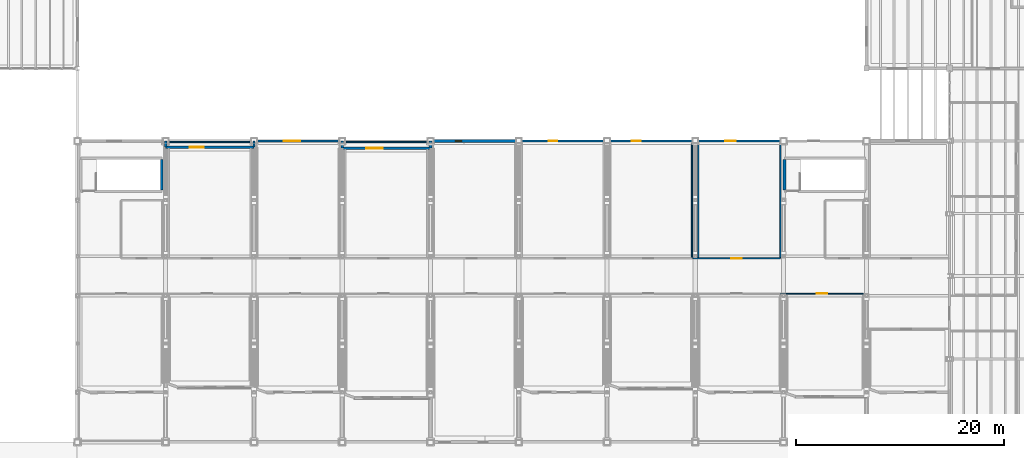
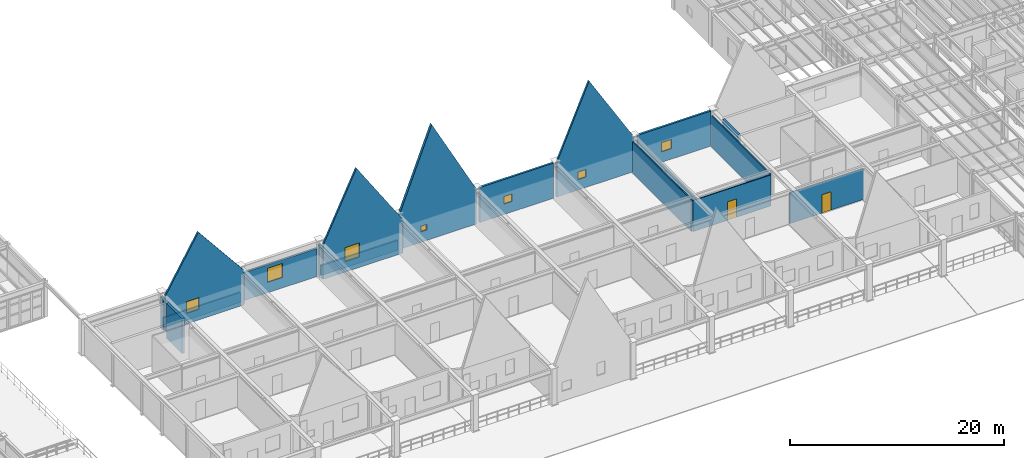
# One storey, part 65 of 78: 20 walls, 7 windows, 2 doors, 9 openings.
"""IFC4 building model written with IfcOpenShell, lengths in metres."""

from ifc_helpers import new_model, si_unit, direction, frame, frame_2d, origin, place, context, subcontext, project, spatial, polyline, rectangle, outline, extrude, material, layer, layer_set, type_object, element, fill, save


model = new_model("IFC4")

# Units and contexts
model_context = context("Model", 3, precision=1e-05, world=origin(), true_north=direction((0.0, 1.0)))
body_context = subcontext(model_context, "Body", "Model", "MODEL_VIEW")
ifc_project = project(units=[si_unit("LENGTHUNIT", "METRE"), si_unit("AREAUNIT", "SQUARE_METRE"), si_unit("VOLUMEUNIT", "CUBIC_METRE"), si_unit("PLANEANGLEUNIT", "RADIAN"), si_unit("MASSUNIT", "GRAM", prefix="KILO"), si_unit("THERMODYNAMICTEMPERATUREUNIT", "KELVIN"), si_unit("POWERUNIT", "WATT")], contexts=[model_context])

# Site, building, storey
site_placement = place(None, origin())
site = spatial("IfcSite", under=ifc_project, at=site_placement, CompositionType="ELEMENT")
building_placement = place(site_placement, origin())
building = spatial("IfcBuilding", under=site, at=building_placement, Name="Zhenchuan Central Fire Station", CompositionType="ELEMENT")
storey_placement = place(building_placement, frame((0.0, 0.0, 5.85009765625)))
storey = spatial("IfcBuildingStorey", under=building, at=storey_placement, Name="L02", CompositionType="ELEMENT", Elevation=5.85009765625)

# Wall
ifc_material_1 = material(Name="Sintered clay brick masonry MU15", Category="masonry")
ifc_layer_1 = layer(ifc_material_1, 0.300048828125, Name="Sintered clay brick masonry MU15", Category="masonry")
ifc_layer_set_1 = layer_set([ifc_layer_1], Name="Sintered clay brick masonry MU15")
wall_type_1 = type_object("IfcWallType", Name="EW-BRK300", PredefinedType="SOLIDWALL", material=ifc_layer_set_1)
wall_1_placement = place(storey_placement, frame((90.0, 34.81005859375, 0.0), z_axis=(0.0, 0.0, 1.0), x_axis=(0.0, 1.0, 0.0)))
element("IfcWall", 1, at=wall_1_placement, inside=storey, type_object=wall_type_1, Name="Pavilion H05 North Setback Return Wall", PredefinedType="SOLIDWALL", context=body_context, shape_type="SweptSolid", body=[
    extrude(rectangle(XDim=0.679931640625, YDim=0.300048828125, at=frame_2d((0.33984375, 0.0))), origin(), (0.0, 0.0, 1.0), 3.58984375),
])

# Wall, opening, window
wall_2_placement = place(storey_placement, frame((90.087890625, 35.5, 0.0), z_axis=(0.0, 0.0, 1.0), x_axis=(1.0, 0.0, 0.0)))
wall_2 = element("IfcWall", 2, at=wall_2_placement, inside=storey, type_object=wall_type_1, Name="Pavilion H05 North Gable Wall", PredefinedType="SOLIDWALL", context=body_context, shape_type="SweptSolid", body=[
    extrude(outline(polyline([(0.0, 0.0), (8.32421875, 0.0), (8.323974609375, 3.949951171875), (3.48193359375, 13.02001953125), (0.0, 3.949951171875), (0.0, 0.0)])), frame((0.0, 0.14990234375, 0.0), z_axis=(0.0, -1.0, 0.0), x_axis=(1.0, 0.0, 0.0)), (0.0, 0.0, 1.0), 0.300048828125),
])
opening_1_placement = place(wall_2_placement, frame((2.300048828125, 0.0, 1.199951171875)))
opening_1 = element("IfcOpeningElement", 3, at=opening_1_placement, cuts=wall_2, Name="Opening W-01", PredefinedType="OPENING", context=body_context, shape_type="SweptSolid", body=[
    extrude(rectangle(XDim=0.64990234375, YDim=0.64990234375, at=frame_2d((0.324951171875, 0.324951171875))), frame((0.0, 0.159912109375, 0.0), z_axis=(0.0, -1.0, 0.0), x_axis=(1.0, 0.0, 0.0)), (0.0, 0.0, 1.0), 0.320068359375),
])
ifc_material_2 = material(Name="Laminated low-E double glazing in aluminium frame", Category="aluminium")
window_type_1 = type_object("IfcWindowType", Name="WN-01", PartitioningType="SINGLE_PANEL", PredefinedType="WINDOW", material=ifc_material_2)
window_1_placement = place(opening_1_placement, origin())
window_1 = element("IfcWindow", 4, at=window_1_placement, inside=storey, type_object=window_type_1, Name="Exterior Window 0020", OverallHeight=0.64990234375, OverallWidth=0.64990234375, PartitioningType="SINGLE_PANEL", PredefinedType="WINDOW", context=body_context, shape_type="SweptSolid", body=[
    extrude(rectangle(XDim=0.64990234375, YDim=0.64990234375, at=frame_2d((0.324951171875, 0.324951171875))), frame((0.0, 0.030029296875, 0.0), z_axis=(0.0, -1.0, 0.0), x_axis=(1.0, 0.0, 0.0)), (0.0, 0.0, 1.0), 0.06005859375),
])
fill(opening_1, window_1)

# Walls
ifc_material_3 = material(Name="Precast concrete C40/50", Category="concrete")
ifc_layer_2 = layer(ifc_material_3, 0.179931640625, Name="Precast concrete C40/50", Category="concrete")
ifc_layer_set_2 = layer_set([ifc_layer_2], Name="Precast concrete C40/50")
wall_type_2 = type_object("IfcWallType", Name="EW-PAR180", PredefinedType="PARAPET", material=ifc_layer_set_2)
for number, where, z_axis, x_axis, name in (
    (5, (64.60009765625, 35.39990234375, 0.0), (0.0, 0.0, 1.0), (1.0, 0.0, 0.0), "PAR-L02-REAR-H02"),
    (6, (81.60009765625, 35.39990234375, 0.0), (0.0, 0.0, 1.0), (1.0, 0.0, 0.0), "PAR-L02-REAR-H04"),
):
    element("IfcWall", number, at=place(storey_placement, frame(where, z_axis=z_axis, x_axis=x_axis)), inside=storey, type_object=wall_type_2, Name=name, PredefinedType="PARAPET", context=body_context, shape_type="SweptSolid", body=[
        extrude(rectangle(XDim=8.2998046875, YDim=0.179931640625, at=frame_2d((4.14990234375, 0.0))), origin(), (0.0, 0.0, 1.0), 1.14990234375),
    ])
ifc_layer_3 = layer(ifc_material_3, 0.219970703125, Name="Precast concrete C40/50", Category="concrete")
ifc_layer_set_3 = layer_set([ifc_layer_3], Name="Precast concrete C40/50")
wall_type_3 = type_object("IfcWallType", Name="EW-PRC220", PredefinedType="SOLIDWALL", material=ifc_layer_set_3)
wall_3_placement = place(storey_placement, frame((64.5, 34.909912109375, 0.0), z_axis=(0.0, 0.0, 1.0), x_axis=(0.0, 1.0, 0.0)))
element("IfcWall", 7, at=wall_3_placement, inside=storey, type_object=wall_type_3, Name="Pavilion H02 North Setback Return Wall", PredefinedType="SOLIDWALL", context=body_context, shape_type="SweptSolid", body=[
    extrude(rectangle(XDim=0.580078125, YDim=0.219970703125, at=frame_2d((0.2900390625, 0.0))), origin(), (0.0, 0.0, 1.0), 3.58984375),
])

# Wall, opening, window
wall_4_placement = place(storey_placement, frame((64.5, 34.89990234375, 0.0), z_axis=(0.0, 0.0, 1.0), x_axis=(1.0, 0.0, 0.0)))
wall_4 = element("IfcWall", 8, at=wall_4_placement, inside=storey, type_object=wall_type_3, Name="Pavilion H02 North Gable Wall", PredefinedType="SOLIDWALL", context=body_context, shape_type="SweptSolid", body=[
    extrude(outline(polyline([(0.0, 0.0), (8.5, 0.0), (8.5, 3.949951171875), (3.570068359375, 10.02001953125), (0.0, 3.949951171875), (0.0, 0.0)])), frame((0.0, 0.10986328125, 0.0), z_axis=(0.0, -1.0, 0.0), x_axis=(1.0, 0.0, 0.0)), (0.0, 0.0, 1.0), 0.219970703125),
])
opening_2_placement = place(wall_4_placement, frame((2.300048828125, 0.0, 1.199951171875)))
opening_2 = element("IfcOpeningElement", 9, at=opening_2_placement, cuts=wall_4, Name="Opening W-08", PredefinedType="OPENING", context=body_context, shape_type="SweptSolid", body=[
    extrude(rectangle(XDim=1.35009765625, YDim=1.35009765625, at=frame_2d((0.675048828125, 0.675048828125))), frame((0.0, 0.119873046875, 0.0), z_axis=(0.0, -1.0, 0.0), x_axis=(1.0, 0.0, 0.0)), (0.0, 0.0, 1.0), 0.239990234375),
])
window_type_2 = type_object("IfcWindowType", Name="WN-08", PartitioningType="SINGLE_PANEL", PredefinedType="WINDOW", material=ifc_material_2)
window_2_placement = place(opening_2_placement, origin())
window_2 = element("IfcWindow", 10, at=window_2_placement, inside=storey, type_object=window_type_2, Name="Exterior Window 0011", OverallHeight=1.35009765625, OverallWidth=1.35009765625, PartitioningType="SINGLE_PANEL", PredefinedType="WINDOW", context=body_context, shape_type="SweptSolid", body=[
    extrude(rectangle(XDim=1.35009765625, YDim=1.35009765625, at=frame_2d((0.675048828125, 0.675048828125))), frame((0.0, 0.030029296875, 0.0), z_axis=(0.0, -1.0, 0.0), x_axis=(1.0, 0.0, 0.0)), (0.0, 0.0, 1.0), 0.06005859375),
])
fill(opening_2, window_2)

# Wall
wall_5_placement = place(storey_placement, frame((73.0, 34.909912109375, 0.0), z_axis=(0.0, 0.0, 1.0), x_axis=(0.0, 1.0, 0.0)))
element("IfcWall", 11, at=wall_5_placement, inside=storey, type_object=wall_type_3, Name="Pavilion H03 North Setback Return Wall", PredefinedType="SOLIDWALL", context=body_context, shape_type="SweptSolid", body=[
    extrude(rectangle(XDim=0.580078125, YDim=0.219970703125, at=frame_2d((0.2900390625, 0.0))), origin(), (0.0, 0.0, 1.0), 3.58984375),
])

# Wall, opening, window
wall_6_placement = place(storey_placement, frame((73.27490234375, 35.5, 0.0), z_axis=(0.0, 0.0, 1.0), x_axis=(1.0, 0.0, 0.0)))
wall_6 = element("IfcWall", 12, at=wall_6_placement, inside=storey, type_object=wall_type_3, Name="Pavilion H03 North Lower Wall", PredefinedType="SOLIDWALL", context=body_context, shape_type="SweptSolid", body=[
    extrude(rectangle(XDim=7.9501953125, YDim=0.219970703125, at=frame_2d((3.97509765625, 0.0))), origin(), (0.0, 0.0, 1.0), 3.19384765625),
])
opening_3_placement = place(wall_6_placement, frame((2.60009765625, 0.0, 1.199951171875)))
opening_3 = element("IfcOpeningElement", 13, at=opening_3_placement, cuts=wall_6, Name="Opening W-10", PredefinedType="OPENING", context=body_context, shape_type="SweptSolid", body=[
    extrude(rectangle(XDim=1.60009765625, YDim=1.60009765625, at=frame_2d((0.800048828125, 0.800048828125))), frame((0.0, 0.119873046875, 0.0), z_axis=(0.0, -1.0, 0.0), x_axis=(1.0, 0.0, 0.0)), (0.0, 0.0, 1.0), 0.239990234375),
])
window_type_3 = type_object("IfcWindowType", Name="WN-10", PartitioningType="SINGLE_PANEL", PredefinedType="WINDOW", material=ifc_material_2)
window_3_placement = place(opening_3_placement, origin())
window_3 = element("IfcWindow", 14, at=window_3_placement, inside=storey, type_object=window_type_3, Name="Exterior Window 0014", OverallHeight=1.60009765625, OverallWidth=1.60009765625, PartitioningType="SINGLE_PANEL", PredefinedType="WINDOW", context=body_context, shape_type="SweptSolid", body=[
    extrude(rectangle(XDim=1.60009765625, YDim=1.60009765625, at=frame_2d((0.800048828125, 0.800048828125))), frame((0.0, 0.030029296875, 0.0), z_axis=(0.0, -1.0, 0.0), x_axis=(1.0, 0.0, 0.0)), (0.0, 0.0, 1.0), 0.06005859375),
])
fill(opening_3, window_3)

# Wall
wall_7_placement = place(storey_placement, frame((81.5, 34.81005859375, 0.0), z_axis=(0.0, 0.0, 1.0), x_axis=(0.0, 1.0, 0.0)))
element("IfcWall", 15, at=wall_7_placement, inside=storey, type_object=wall_type_3, Name="Pavilion H04 North Setback Return Wall", PredefinedType="SOLIDWALL", context=body_context, shape_type="SweptSolid", body=[
    extrude(rectangle(XDim=0.679931640625, YDim=0.219970703125, at=frame_2d((0.33984375, 0.0))), origin(), (0.0, 0.0, 1.0), 3.58984375),
])

# Wall, opening, window
wall_8_placement = place(storey_placement, frame((81.5, 34.800048828125, 0.0), z_axis=(0.0, 0.0, 1.0), x_axis=(1.0, 0.0, 0.0)))
wall_8 = element("IfcWall", 16, at=wall_8_placement, inside=storey, type_object=wall_type_3, Name="Pavilion H04 North Gable Wall", PredefinedType="SOLIDWALL", context=body_context, shape_type="SweptSolid", body=[
    extrude(outline(polyline([(0.0, 0.0), (8.5, 0.0), (8.5, 3.949951171875), (3.570068359375, 11.419921875), (0.0, 3.949951171875), (0.0, 0.0)])), frame((0.0, 0.10986328125, 0.0), z_axis=(0.0, -1.0, 0.0), x_axis=(1.0, 0.0, 0.0)), (0.0, 0.0, 1.0), 0.219970703125),
])
opening_4_placement = place(wall_8_placement, frame((2.300048828125, 0.0, 1.199951171875)))
opening_4 = element("IfcOpeningElement", 17, at=opening_4_placement, cuts=wall_8, Name="Opening W-10", PredefinedType="OPENING", context=body_context, shape_type="SweptSolid", body=[
    extrude(rectangle(XDim=1.60009765625, YDim=1.60009765625, at=frame_2d((0.800048828125, 0.800048828125))), frame((0.0, 0.119873046875, 0.0), z_axis=(0.0, -1.0, 0.0), x_axis=(1.0, 0.0, 0.0)), (0.0, 0.0, 1.0), 0.239990234375),
])
window_4_placement = place(opening_4_placement, origin())
window_4 = element("IfcWindow", 18, at=window_4_placement, inside=storey, type_object=window_type_3, Name="Exterior Window 0017", OverallHeight=1.60009765625, OverallWidth=1.60009765625, PartitioningType="SINGLE_PANEL", PredefinedType="WINDOW", context=body_context, shape_type="SweptSolid", body=[
    extrude(rectangle(XDim=1.60009765625, YDim=1.60009765625, at=frame_2d((0.800048828125, 0.800048828125))), frame((0.0, 0.030029296875, 0.0), z_axis=(0.0, -1.0, 0.0), x_axis=(1.0, 0.0, 0.0)), (0.0, 0.0, 1.0), 0.06005859375),
])
fill(opening_4, window_4)

wall_9_placement = place(storey_placement, frame((98.77490234375, 35.5, 0.0), z_axis=(0.0, 0.0, 1.0), x_axis=(1.0, 0.0, 0.0)))
wall_9 = element("IfcWall", 19, at=wall_9_placement, inside=storey, type_object=wall_type_3, Name="Pavilion H06 North Lower Wall", PredefinedType="SOLIDWALL", context=body_context, shape_type="SweptSolid", body=[
    extrude(rectangle(XDim=7.9501953125, YDim=0.219970703125, at=frame_2d((3.97509765625, 0.0))), origin(), (0.0, 0.0, 1.0), 4.0),
])
opening_5_placement = place(wall_9_placement, frame((2.60009765625, 0.0, 1.199951171875)))
opening_5 = element("IfcOpeningElement", 20, at=opening_5_placement, cuts=wall_9, Name="Opening W-03", PredefinedType="OPENING", context=body_context, shape_type="SweptSolid", body=[
    extrude(rectangle(XDim=0.85009765625, YDim=0.85009765625, at=frame_2d((0.425048828125, 0.425048828125))), frame((0.0, 0.119873046875, 0.0), z_axis=(0.0, -1.0, 0.0), x_axis=(1.0, 0.0, 0.0)), (0.0, 0.0, 1.0), 0.239990234375),
])
window_type_4 = type_object("IfcWindowType", Name="WN-03", PartitioningType="SINGLE_PANEL", PredefinedType="WINDOW", material=ifc_material_2)
window_5_placement = place(opening_5_placement, origin())
window_5 = element("IfcWindow", 21, at=window_5_placement, inside=storey, type_object=window_type_4, Name="Exterior Window 0023", OverallHeight=0.85009765625, OverallWidth=0.85009765625, PartitioningType="SINGLE_PANEL", PredefinedType="WINDOW", context=body_context, shape_type="SweptSolid", body=[
    extrude(rectangle(XDim=0.85009765625, YDim=0.85009765625, at=frame_2d((0.425048828125, 0.425048828125))), frame((0.0, 0.030029296875, 0.0), z_axis=(0.0, -1.0, 0.0), x_axis=(1.0, 0.0, 0.0)), (0.0, 0.0, 1.0), 0.06005859375),
])
fill(opening_5, window_5)

wall_10_placement = place(storey_placement, frame((107.087890625, 35.5, 0.0), z_axis=(0.0, 0.0, 1.0), x_axis=(1.0, 0.0, 0.0)))
wall_10 = element("IfcWall", 22, at=wall_10_placement, inside=storey, type_object=wall_type_3, Name="Pavilion H07 North Gable Wall", PredefinedType="SOLIDWALL", context=body_context, shape_type="SweptSolid", body=[
    extrude(outline(polyline([(0.0, 0.0), (8.32421875, 0.0), (8.323974609375, 3.949951171875), (3.48193359375, 12.02001953125), (0.0, 3.949951171875), (0.0, 0.0)])), frame((0.0, 0.10986328125, 0.0), z_axis=(0.0, -1.0, 0.0), x_axis=(1.0, 0.0, 0.0)), (0.0, 0.0, 1.0), 0.219970703125),
])
opening_6_placement = place(wall_10_placement, frame((2.300048828125, 0.0, 1.199951171875)))
opening_6 = element("IfcOpeningElement", 23, at=opening_6_placement, cuts=wall_10, Name="Opening W-03", PredefinedType="OPENING", context=body_context, shape_type="SweptSolid", body=[
    extrude(rectangle(XDim=0.85009765625, YDim=0.85009765625, at=frame_2d((0.425048828125, 0.425048828125))), frame((0.0, 0.119873046875, 0.0), z_axis=(0.0, -1.0, 0.0), x_axis=(1.0, 0.0, 0.0)), (0.0, 0.0, 1.0), 0.239990234375),
])
window_6_placement = place(opening_6_placement, origin())
window_6 = element("IfcWindow", 24, at=window_6_placement, inside=storey, type_object=window_type_4, Name="Exterior Window 0026", OverallHeight=0.85009765625, OverallWidth=0.85009765625, PartitioningType="SINGLE_PANEL", PredefinedType="WINDOW", context=body_context, shape_type="SweptSolid", body=[
    extrude(rectangle(XDim=0.85009765625, YDim=0.85009765625, at=frame_2d((0.425048828125, 0.425048828125))), frame((0.0, 0.030029296875, 0.0), z_axis=(0.0, -1.0, 0.0), x_axis=(1.0, 0.0, 0.0)), (0.0, 0.0, 1.0), 0.06005859375),
])
fill(opening_6, window_6)

wall_11_placement = place(storey_placement, frame((115.77490234375, 35.5, 0.0), z_axis=(0.0, 0.0, 1.0), x_axis=(1.0, 0.0, 0.0)))
wall_11 = element("IfcWall", 25, at=wall_11_placement, inside=storey, type_object=wall_type_3, Name="Pavilion H08 North Lower Wall", PredefinedType="SOLIDWALL", context=body_context, shape_type="SweptSolid", body=[
    extrude(rectangle(XDim=7.9501953125, YDim=0.219970703125, at=frame_2d((3.97509765625, 0.0))), origin(), (0.0, 0.0, 1.0), 4.0),
])
opening_7_placement = place(wall_11_placement, frame((2.60009765625, 0.0, 1.199951171875)))
opening_7 = element("IfcOpeningElement", 26, at=opening_7_placement, cuts=wall_11, Name="Opening W-05", PredefinedType="OPENING", context=body_context, shape_type="SweptSolid", body=[
    extrude(rectangle(XDim=1.050048828125, YDim=1.050048828125, at=frame_2d((0.52490234375, 0.52490234375))), frame((0.0, 0.119873046875, 0.0), z_axis=(0.0, -1.0, 0.0), x_axis=(1.0, 0.0, 0.0)), (0.0, 0.0, 1.0), 0.239990234375),
])
window_type_5 = type_object("IfcWindowType", Name="WN-05", PartitioningType="SINGLE_PANEL", PredefinedType="WINDOW", material=ifc_material_2)
window_7_placement = place(opening_7_placement, origin())
window_7 = element("IfcWindow", 27, at=window_7_placement, inside=storey, type_object=window_type_5, Name="Exterior Window 0029", OverallHeight=1.050048828125, OverallWidth=1.050048828125, PartitioningType="SINGLE_PANEL", PredefinedType="WINDOW", context=body_context, shape_type="SweptSolid", body=[
    extrude(rectangle(XDim=1.050048828125, YDim=1.050048828125, at=frame_2d((0.52490234375, 0.52490234375))), frame((0.0, 0.030029296875, 0.0), z_axis=(0.0, -1.0, 0.0), x_axis=(1.0, 0.0, 0.0)), (0.0, 0.0, 1.0), 0.06005859375),
])
fill(opening_7, window_7)

# Wall, opening, door
ifc_material_4 = material(Name="Gypsum plasterboard on steel studs", Category="gypsum")
ifc_layer_4 = layer(ifc_material_4, 0.10009765625, Name="Gypsum plasterboard on steel studs", Category="gypsum")
ifc_layer_set_4 = layer_set([ifc_layer_4], Name="Gypsum plasterboard on steel studs")
wall_type_4 = type_object("IfcWallType", Name="IW-GYP100", PredefinedType="PARTITIONING", material=ifc_layer_set_4)
wall_12_placement = place(storey_placement, frame((123.7529296875, 20.800048828125, 0.0), z_axis=(0.0, 0.0, 1.0), x_axis=(1.0, 0.0, 0.0)))
wall_12 = element("IfcWall", 28, at=wall_12_placement, inside=storey, type_object=wall_type_4, Name="Swiftwater Rescue Gear Room N Partition", PredefinedType="PARTITIONING", context=body_context, shape_type="SweptSolid", body=[
    extrude(rectangle(XDim=7.947021484375, YDim=0.10009765625, at=frame_2d((3.9736328125, 0.0))), origin(), (0.0, 0.0, 1.0), 3.5439453125),
])
opening_8_placement = place(wall_12_placement, frame((3.473388671875, 0.0, 0.0)))
opening_8 = element("IfcOpeningElement", 29, at=opening_8_placement, cuts=wall_12, Name="Opening D-116", PredefinedType="OPENING", context=body_context, shape_type="SweptSolid", body=[
    extrude(rectangle(XDim=1.0, YDim=2.10009765625, at=frame_2d((0.5, 1.050048828125))), frame((0.0, 0.06005859375, 0.0), z_axis=(0.0, -1.0, 0.0), x_axis=(1.0, 0.0, 0.0)), (0.0, 0.0, 1.0), 0.1201171875),
])
ifc_material_5 = material(Name="Solid-core timber office door", Category="wood")
door_type_1 = type_object("IfcDoorType", Name="ID-OFF-100x210", OperationType="NOTDEFINED", PredefinedType="DOOR", material=ifc_material_5)
door_1_placement = place(opening_8_placement, origin())
door_1 = element("IfcDoor", 30, at=door_1_placement, inside=storey, type_object=door_type_1, Name="Swiftwater Rescue Gear Room Door", OperationType="SINGLE_SWING_RIGHT", OverallHeight=2.10009765625, OverallWidth=1.0, PredefinedType="DOOR", context=body_context, shape_type="SweptSolid", body=[
    extrude(rectangle(XDim=1.0, YDim=2.10009765625, at=frame_2d((0.5, 1.050048828125))), frame((0.0, 0.02490234375, 0.0), z_axis=(0.0, -1.0, 0.0), x_axis=(1.0, 0.0, 0.0)), (0.0, 0.0, 1.0), 0.050048828125),
])
fill(opening_8, door_1)

# Wall
ifc_layer_5 = layer(ifc_material_4, 0.1201171875, Name="Gypsum plasterboard on steel studs", Category="gypsum")
ifc_layer_set_5 = layer_set([ifc_layer_5], Name="Gypsum plasterboard on steel studs")
wall_type_5 = type_object("IfcWallType", Name="IW-GYP120", PredefinedType="PARTITIONING", material=ifc_layer_set_5)
wall_13_placement = place(storey_placement, frame((115.199951171875, 24.262939453125, 0.0), z_axis=(0.0, 0.0, 1.0), x_axis=(0.0, 1.0, 0.0)))
element("IfcWall", 31, at=wall_13_placement, inside=storey, type_object=wall_type_5, Name="Cadet Seminar Room E Partition", PredefinedType="PARTITIONING", context=body_context, shape_type="SweptSolid", body=[
    extrude(rectangle(XDim=10.958984375, YDim=0.1201171875, at=frame_2d((5.4794921875, 0.0))), origin(), (0.0, 0.0, 1.0), 3.593994140625),
])

# Wall, opening, door
wall_14_placement = place(storey_placement, frame((115.262939453125, 24.199951171875, 0.0), z_axis=(0.0, 0.0, 1.0), x_axis=(1.0, 0.0, 0.0)))
wall_14 = element("IfcWall", 32, at=wall_14_placement, inside=storey, type_object=wall_type_5, Name="Radio Maintenance Workshop S Partition", PredefinedType="PARTITIONING", context=body_context, shape_type="SweptSolid", body=[
    extrude(rectangle(XDim=8.43701171875, YDim=0.1201171875, at=frame_2d((4.218505859375, 0.0))), origin(), (0.0, 0.0, 1.0), 3.5439453125),
])
opening_9_placement = place(wall_14_placement, frame((3.728515625, 0.0, 0.0)))
opening_9 = element("IfcOpeningElement", 33, at=opening_9_placement, cuts=wall_14, Name="Opening D-115", PredefinedType="OPENING", context=body_context, shape_type="SweptSolid", body=[
    extrude(rectangle(XDim=0.97998046875, YDim=2.10009765625, at=frame_2d((0.489990234375, 1.050048828125))), frame((0.0, 0.070068359375, 0.0), z_axis=(0.0, -1.0, 0.0), x_axis=(1.0, 0.0, 0.0)), (0.0, 0.0, 1.0), 0.14013671875),
])
ifc_material_6 = material(Name="Solid-core timber study door", Category="wood")
door_type_2 = type_object("IfcDoorType", Name="ID-OFF-098x210", OperationType="NOTDEFINED", PredefinedType="DOOR", material=ifc_material_6)
door_2_placement = place(opening_9_placement, origin())
door_2 = element("IfcDoor", 34, at=door_2_placement, inside=storey, type_object=door_type_2, Name="Radio Maintenance Workshop Door", OperationType="SINGLE_SWING_LEFT", OverallHeight=2.10009765625, OverallWidth=0.97998046875, PredefinedType="DOOR", context=body_context, shape_type="SweptSolid", body=[
    extrude(rectangle(XDim=0.97998046875, YDim=2.10009765625, at=frame_2d((0.489990234375, 1.050048828125))), frame((0.0, 0.02490234375, 0.0), z_axis=(0.0, -1.0, 0.0), x_axis=(1.0, 0.0, 0.0)), (0.0, 0.0, 1.0), 0.050048828125),
])
fill(opening_9, door_2)

# Walls
for number, where, z_axis, x_axis, name in (
    (35, (115.800048828125, 24.262939453125, 0.0), (0.0, 0.0, 1.0), (0.0, 1.0, 0.0), "Radio Maintenance Workshop W Partition"),
    (36, (123.699951171875, 24.262939453125, 0.0), (0.0, 0.0, 1.0), (0.0, 1.0, 0.0), "Radio Maintenance Workshop E Partition"),
):
    element("IfcWall", number, at=place(storey_placement, frame(where, z_axis=z_axis, x_axis=x_axis)), inside=storey, type_object=wall_type_5, Name=name, PredefinedType="PARTITIONING", context=body_context, shape_type="SweptSolid", body=[
        extrude(rectangle(XDim=10.958984375, YDim=0.1201171875, at=frame_2d((5.4794921875, 0.0))), origin(), (0.0, 0.0, 1.0), 3.593994140625),
    ])
ifc_material_7 = material(Name="Concrete C40/50", Category="concrete")
ifc_layer_6 = layer(ifc_material_7, 0.25, Name="Concrete C40/50", Category="concrete")
ifc_layer_set_6 = layer_set([ifc_layer_6], Name="Concrete C40/50")
wall_type_6 = type_object("IfcWallType", Name="IW-SHR250", PredefinedType="SHEAR", material=ifc_layer_set_6)
for number, where, z_axis, x_axis, name in (
    (37, (64.135009765625, 30.800048828125, 0.0), (0.0, 0.0, 1.0), (0.0, 1.0, 0.0), "ST-08 L02 East Core Wall"),
    (38, (124.094970703125, 30.800048828125, 0.0), (0.0, 0.0, 1.0), (0.0, 1.0, 0.0), "ST-09 L02 West Core Wall"),
):
    element("IfcWall", number, at=place(storey_placement, frame(where, z_axis=z_axis, x_axis=x_axis)), inside=storey, type_object=wall_type_6, Name=name, PredefinedType="SHEAR", context=body_context, shape_type="SweptSolid", body=[
        extrude(rectangle(XDim=2.89990234375, YDim=0.25, at=frame_2d((1.449951171875, 0.0))), origin(), (0.0, 0.0, 1.0), 4.0),
    ])

save(model, "model.ifc")
